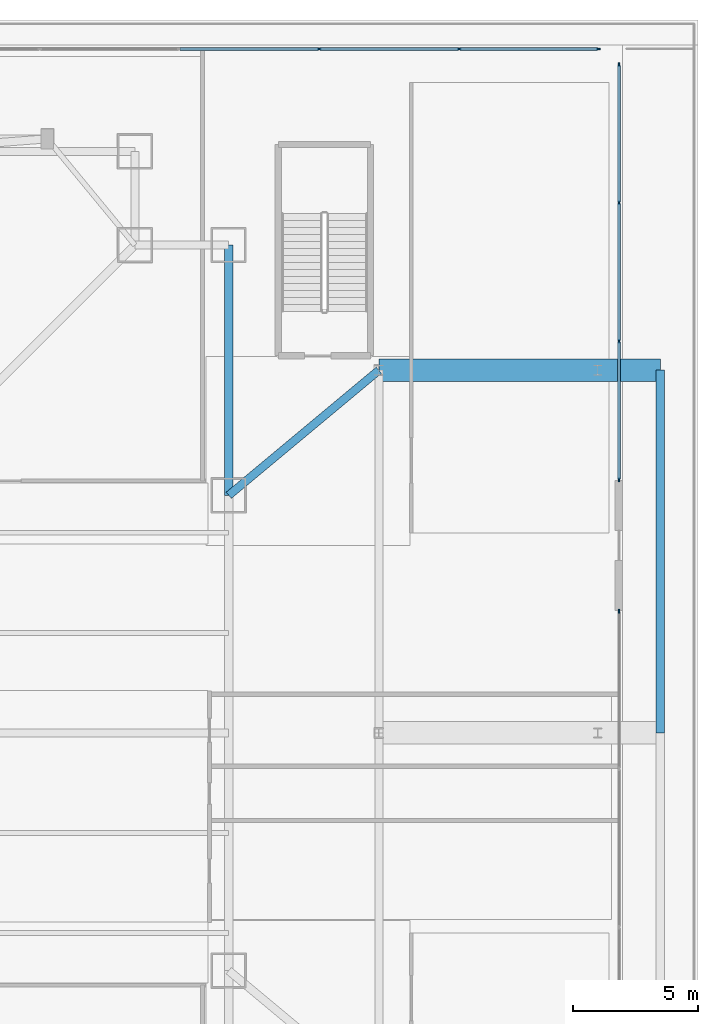
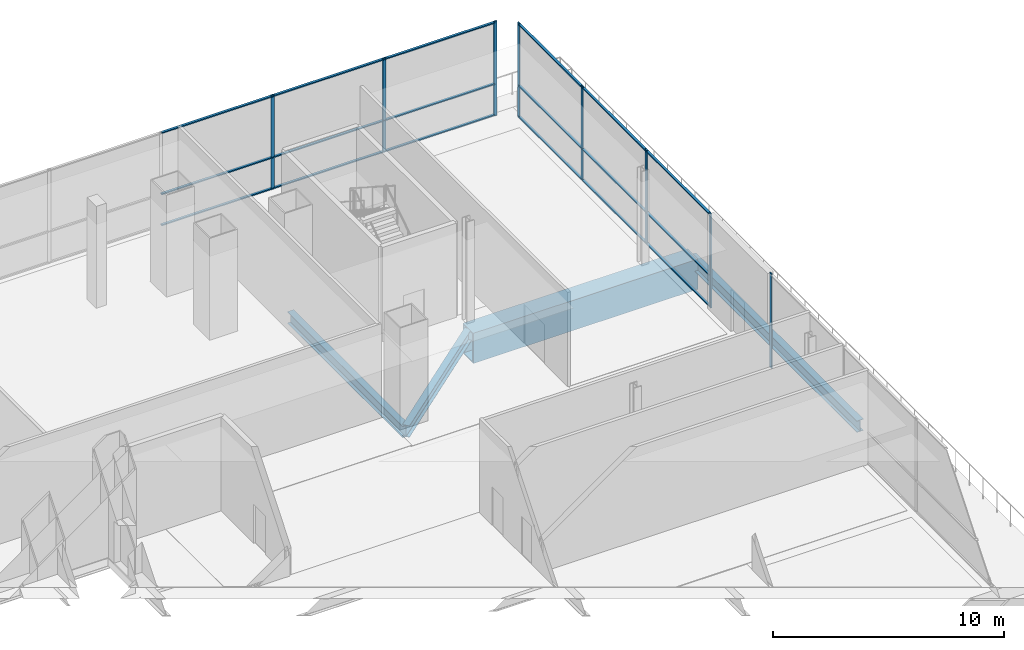
# One storey, part 18 of 36: 26 members, 4 beams, 3 elements without a shape of their own.
"""IFC4 building model written with IfcOpenShell, lengths in metres."""

import ifcopenshell
import ifcopenshell.guid

model = None  # the IFC model being written
_history = None  # IfcOwnerHistory: only IFC2X3 demands one
_inside = {}  # id of a spatial element -> (the spatial element, [elements in it])
_under = {}  # id of a project, library or spatial element -> (it, [spatial elements below it])
_declared = {}  # id of a project -> (the project, [libraries it declares])
_typed = {}  # id of a type object -> (the type object, [elements of that type])
_made_of = {}  # id of a material, layer set ... -> (it, [elements and type objects made of it])


def new_model(schema):
    """Start an empty IFC model of exactly this schema.

    Asked for "IFC4X3", IfcOpenShell would pick the latest addendum, in which some entities
    have other attributes; the version numbers below select the first issue.
    IFC2X3 requires an IfcOwnerHistory on every rooted entity: one is made here for all.
    """
    global model, _history
    if schema == "IFC4X3":
        model = ifcopenshell.file(schema_version=(4, 3, 0, 0))
    else:
        model = ifcopenshell.file(schema=schema)
    _inside.clear()
    _under.clear()
    _declared.clear()
    _typed.clear()
    _made_of.clear()
    _history = None
    if model.schema == "IFC2X3":
        org = make("IfcOrganization", Name="unknown")
        user = make(
            "IfcPersonAndOrganization",
            ThePerson=make("IfcPerson", FamilyName="unknown"),
            TheOrganization=org,
        )
        app = make(
            "IfcApplication",
            ApplicationDeveloper=org,
            Version="unknown",
            ApplicationFullName="unknown",
            ApplicationIdentifier="unknown",
        )
        _history = make(
            "IfcOwnerHistory",
            OwningUser=user,
            OwningApplication=app,
            ChangeAction="ADDED",
            CreationDate=0,
        )
    return model


def make(cls, **values):
    """One entity of the class cls with the attributes given. An attribute that is None is left unset."""
    return model.create_entity(
        cls, **{name: value for name, value in values.items() if value is not None}
    )


def rooted(cls, **values):
    """An entity with a GlobalId (a new one), such as an element, a storey or a relation."""
    return make(cls, GlobalId=ifcopenshell.guid.new(), OwnerHistory=_history, **values)


def si_unit(unit_type, name, prefix=None):
    """IfcSIUnit, for example si_unit("LENGTHUNIT", "METRE", prefix="MILLI")."""
    return make("IfcSIUnit", UnitType=unit_type, Prefix=prefix, Name=name)


def assignment(units):
    """IfcUnitAssignment: the units of a project."""
    return None if units is None else make("IfcUnitAssignment", Units=units)


def point(xyz):
    """IfcCartesianPoint."""
    return None if xyz is None else make("IfcCartesianPoint", Coordinates=xyz)


def direction(xyz):
    """IfcDirection."""
    return None if xyz is None else make("IfcDirection", DirectionRatios=xyz)


def frame(location, z_axis=None, x_axis=None):
    """IfcAxis2Placement3D, a coordinate frame: its origin and axes. An axis left out is left unset."""
    return make(
        "IfcAxis2Placement3D",
        Location=point(location),
        Axis=direction(z_axis),
        RefDirection=direction(x_axis),
    )


def frame_2d(location, x_axis=None):
    """IfcAxis2Placement2D, a coordinate frame in the plane: its origin and x axis."""
    return make(
        "IfcAxis2Placement2D", Location=point(location), RefDirection=direction(x_axis)
    )


def origin():
    """The frame at (0, 0, 0) with its axes left unset."""
    return frame((0.0, 0.0, 0.0))


def origin_2d():
    """The frame at (0, 0) in the plane with its x axis left unset."""
    return frame_2d((0.0, 0.0))


def place(relative_to, where):
    """IfcLocalPlacement: puts the frame where relative to a parent placement (None: the world)."""
    return make(
        "IfcLocalPlacement", PlacementRelTo=relative_to, RelativePlacement=where
    )


def context(
    kind, dimensions, precision=None, world=None, true_north=None, identifier=None
):
    """IfcGeometricRepresentationContext, for example the 3D "Model" context."""
    return make(
        "IfcGeometricRepresentationContext",
        ContextIdentifier=identifier,
        ContextType=kind,
        CoordinateSpaceDimension=dimensions,
        Precision=precision,
        WorldCoordinateSystem=world,
        TrueNorth=true_north,
    )


def subcontext(parent, identifier, kind, view, scale=None):
    """IfcGeometricRepresentationSubContext, for example "Body" below "Model"."""
    return make(
        "IfcGeometricRepresentationSubContext",
        ContextIdentifier=identifier,
        ContextType=kind,
        ParentContext=parent,
        TargetScale=scale,
        TargetView=view,
    )


def project(units=None, contexts=None):
    """IfcProject with its units and contexts."""
    return rooted(
        "IfcProject",
        Name="project",
        RepresentationContexts=contexts,
        UnitsInContext=assignment(units),
    )


def spatial(cls, under=None, at=None, **own):
    """A site, building, storey or space (cls), placed at a placement, below another one or the project."""
    s = rooted(cls, ObjectPlacement=at, **own)
    if under is not None:
        _under.setdefault(under.id(), (under, []))[1].append(s)
    return s


def profile(cls, at=None, kind="AREA", **sizes):
    """A parametric profile (cls). Its sizes go by their IFC names, for example OverallWidth=200.0."""
    return make(cls, ProfileType=kind, Position=at, **sizes)


def rectangle(**sizes):
    """IfcRectangleProfileDef."""
    return profile("IfcRectangleProfileDef", **sizes)


def hollow_rectangle(**sizes):
    """IfcRectangleHollowProfileDef."""
    return profile("IfcRectangleHollowProfileDef", **sizes)


def i_section(**sizes):
    """IfcIShapeProfileDef."""
    return profile("IfcIShapeProfileDef", **sizes)


def extrude(swept, where, along, depth):
    """IfcExtrudedAreaSolid: the profile swept, set in the frame where, extruded along a direction by depth."""
    return make(
        "IfcExtrudedAreaSolid",
        SweptArea=swept,
        Position=where,
        ExtrudedDirection=direction(along),
        Depth=depth,
    )


def shape(context_of_items, identifier, shape_type, items):
    """IfcShapeRepresentation: the items that make up one representation, for example the "Body"."""
    return make(
        "IfcShapeRepresentation",
        ContextOfItems=context_of_items,
        RepresentationIdentifier=identifier,
        RepresentationType=shape_type,
        Items=items,
    )


def material(Name=None, Category=None):
    """IfcMaterial."""
    return make("IfcMaterial", Name=Name, Category=Category)


def layer(
    of_material, thickness, ventilated=None, Name=None, Category=None, Priority=None
):
    """IfcMaterialLayer: one layer of a wall or slab, of a material (None: an air gap)."""
    return make(
        "IfcMaterialLayer",
        Material=of_material,
        LayerThickness=thickness,
        IsVentilated=ventilated,
        Name=Name,
        Category=Category,
        Priority=Priority,
    )


def layer_set(layers, Name=None):
    """IfcMaterialLayerSet."""
    return make("IfcMaterialLayerSet", MaterialLayers=layers, LayerSetName=Name)


def material_profile(
    of_material, cross_section, Name=None, Category=None, Priority=None
):
    """IfcMaterialProfile: a cross section and its material."""
    return make(
        "IfcMaterialProfile",
        Name=Name,
        Material=of_material,
        Profile=cross_section,
        Priority=Priority,
        Category=Category,
    )


def profile_set(profiles, Name=None, composite=None):
    """IfcMaterialProfileSet."""
    return make(
        "IfcMaterialProfileSet",
        Name=Name,
        MaterialProfiles=profiles,
        CompositeProfile=composite,
    )


def made_of(thing, what):
    """Note that an element or type object is made of a material, layer set ...; save() writes the relation."""
    if what is not None:
        _made_of.setdefault(what.id(), (what, []))[1].append(thing)
    return thing


def type_object(cls, material=None, **own):
    """A type object (cls), such as IfcWallType, which elements share."""
    return made_of(rooted(cls, **own), material)


def element(
    cls,
    number,
    at=None,
    inside=None,
    cuts=None,
    type_object=None,
    material=None,
    context=None,
    identifier="Body",
    shape_type=None,
    held_by="IfcProductDefinitionShape",
    body=None,
    shapes=None,
    **own,
):
    """One element of the class cls, such as IfcWall. Its Tag is "e" and its number.

    at: its placement. inside: the storey or other place that contains it. cuts: it is an
    opening in that element (IfcRelVoidsElement). A single representation is given by context,
    identifier, shape_type and body (its items); several are given by shapes. held_by: the class
    of the entity that holds the representations. save() writes the other relations.
    """
    e = rooted(cls, Tag="e%d" % number, ObjectPlacement=at, **own)
    if body is not None:
        shapes = [shape(context, identifier, shape_type, body)]
    if shapes is not None:
        e.Representation = make(held_by, Representations=shapes)
    if inside is not None:
        _inside.setdefault(inside.id(), (inside, []))[1].append(e)
    if cuts is not None:
        rooted(
            "IfcRelVoidsElement", RelatingBuildingElement=cuts, RelatedOpeningElement=e
        )
    if type_object is not None:
        _typed.setdefault(type_object.id(), (type_object, []))[1].append(e)
    return made_of(e, material)


def aggregate(whole, parts):
    """IfcRelAggregates: a whole, such as a stair, and the parts it consists of."""
    return rooted("IfcRelAggregates", RelatingObject=whole, RelatedObjects=parts)


def save(model, path):
    """Write the relations noted so far, then the file.

    IfcRelAggregates (storeys below a building ...), IfcRelContainedInSpatialStructure (elements
    in a storey), IfcRelDefinesByType, IfcRelAssociatesMaterial and IfcRelDeclares: one each for
    every whole, place, type object, material and project.
    """
    for whole, parts in _under.values():
        aggregate(whole, parts)
    for where, things in _inside.values():
        rooted(
            "IfcRelContainedInSpatialStructure",
            RelatedElements=things,
            RelatingStructure=where,
        )
    for kind, things in _typed.values():
        rooted("IfcRelDefinesByType", RelatedObjects=things, RelatingType=kind)
    for what, things in _made_of.values():
        rooted("IfcRelAssociatesMaterial", RelatedObjects=things, RelatingMaterial=what)
    for by, libraries in _declared.values():
        rooted("IfcRelDeclares", RelatingContext=by, RelatedDefinitions=libraries)
    model.write(path)


model = new_model("IFC4")

# Units and contexts
model_context = context("Model", 3, precision=1e-05, world=origin(), true_north=direction((0.0, 1.0)))
body_context = subcontext(model_context, "Body", "Model", "MODEL_VIEW")
ifc_project = project(units=[si_unit("LENGTHUNIT", "METRE"), si_unit("AREAUNIT", "SQUARE_METRE"), si_unit("VOLUMEUNIT", "CUBIC_METRE"), si_unit("PLANEANGLEUNIT", "RADIAN"), si_unit("MASSUNIT", "GRAM", prefix="KILO")], contexts=[model_context])

# Site, building, storey
site_placement = place(None, origin())
site = spatial("IfcSite", under=ifc_project, at=site_placement, CompositionType="ELEMENT")
building_placement = place(site_placement, origin())
building = spatial("IfcBuilding", under=site, at=building_placement, Name="Trevonay Congress Spire", CompositionType="ELEMENT")
storey_placement = place(building_placement, frame((0.0, 0.0, 5.39990234375)))
storey = spatial("IfcBuildingStorey", under=building, at=storey_placement, Name="L01", CompositionType="ELEMENT", Elevation=5.39990234375)

# Beams
ifc_material_1 = material(Name="Steel ASTM A572 Grade 50", Category="steel")
ifc_material_profile_1 = material_profile(ifc_material_1, i_section(OverallWidth=0.324951171875, OverallDepth=0.615966796875, WebThickness=0.013916015625, FlangeThickness=0.021484375, FilletRadius=0.01806640625, at=origin_2d()), Name="W610x174")
ifc_profile_set_1 = profile_set([ifc_material_profile_1], Name="Steel ASTM A572 Grade 50")
beam_type_1 = type_object("IfcBeamType", Name="BM-GIRD-W610X174", PredefinedType="BEAM", material=ifc_profile_set_1)
beam_1_placement = place(storey_placement, frame((23.25, 9.5, -0.7080078125), z_axis=(0.0, 1.0, 0.0), x_axis=(-1.0, 0.0, 0.0)))
element("IfcBeam", 1, at=beam_1_placement, inside=storey, type_object=beam_type_1, Name="L01 structural beam BM-L01-ME3", PredefinedType="BEAM", context=body_context, shape_type="SweptSolid", body=[
    extrude(i_section(OverallWidth=0.324951171875, OverallDepth=0.615966796875, WebThickness=0.013916015625, FlangeThickness=0.021484375, FilletRadius=0.01806640625, at=origin_2d()), origin(), (0.0, 0.0, 1.0), 10.0),
])
beam_2_placement = place(storey_placement, frame((23.25, 9.5, -0.7080078125), z_axis=(0.768221279597, 0.640184399664, 0.0), x_axis=(-0.640184399664, 0.768221279597, 0.0)))
element("IfcBeam", 2, at=beam_2_placement, inside=storey, type_object=beam_type_1, Name="L01 structural beam BM-L01-POD-ET2", PredefinedType="BEAM", context=body_context, shape_type="SweptSolid", body=[
    extrude(i_section(OverallWidth=0.324951171875, OverallDepth=0.615966796875, WebThickness=0.013916015625, FlangeThickness=0.021484375, FilletRadius=0.01806640625, at=origin_2d()), origin(), (0.0, 0.0, 1.0), 7.810302734375),
])
beam_3_placement = place(storey_placement, frame((40.5, 0.0, -0.7080078125), z_axis=(0.0, 1.0, 0.0), x_axis=(-1.0, 0.0, 0.0)))
element("IfcBeam", 3, at=beam_3_placement, inside=storey, type_object=beam_type_1, Name="L01 structural beam BM-L01-EXEL2", PredefinedType="BEAM", context=body_context, shape_type="SweptSolid", body=[
    extrude(i_section(OverallWidth=0.324951171875, OverallDepth=0.615966796875, WebThickness=0.013916015625, FlangeThickness=0.021484375, FilletRadius=0.01806640625, at=origin_2d()), origin(), (0.0, 0.0, 1.0), 14.5),
])
ifc_material_profile_2 = material_profile(ifc_material_1, hollow_rectangle(XDim=0.89990234375, YDim=1.60009765625, WallThickness=0.06005859375, at=origin_2d()), Name="BOX 1600x900x60")
ifc_profile_set_2 = profile_set([ifc_material_profile_2], Name="Steel ASTM A572 Grade 50")
beam_type_2 = type_object("IfcBeamType", Name="BM-XFER-BOX1600", PredefinedType="BEAM", material=ifc_profile_set_2)
beam_4_placement = place(storey_placement, frame((29.25, 14.5, -1.199951171875), z_axis=(1.0, 0.0, 0.0), x_axis=(0.0, 1.0, 0.0)))
element("IfcBeam", 4, at=beam_4_placement, inside=storey, type_object=beam_type_2, Name="L01 structural beam BM-L01-EXE-N", PredefinedType="BEAM", context=body_context, shape_type="SweptSolid", body=[
    extrude(hollow_rectangle(XDim=0.89990234375, YDim=1.60009765625, WallThickness=0.06005859375, at=origin_2d()), origin(), (0.0, 0.0, 1.0), 11.25),
])

# Curtain wall, member
ifc_material_2 = material(Name="Pale Anodised Aluminium EN AW-6063-T6", Category="aluminium")
ifc_layer = layer(ifc_material_2, 0.179931640625, Name="Pale Anodised Aluminium EN AW-6063-T6")
ifc_layer_set = layer_set([ifc_layer], Name="Pale Anodised Aluminium EN AW-6063-T6")
curtain_wall_type = type_object("IfcCurtainWallType", Name="CW-SYS01-PODIUM-PALE-METAL", PredefinedType="NOTDEFINED", material=ifc_layer_set)
curtain_wall_1_placement = place(storey_placement, origin())
curtain_wall_1 = element("IfcCurtainWall", 5, at=curtain_wall_1_placement, inside=storey, type_object=curtain_wall_type, Name="L01 E1 podium curtain wall", PredefinedType="NOTDEFINED")
ifc_material_profile_3 = material_profile(ifc_material_2, rectangle(XDim=0.06005859375, YDim=0.159912109375, at=origin_2d()), Name="CW-MULLION-160-ALUMINIUM")
ifc_profile_set_3 = profile_set([ifc_material_profile_3], Name="Pale Anodised Aluminium EN AW-6063-T6")
member_type_1 = type_object("IfcMemberType", Name="CW-MULLION-160-ALUMINIUM", PredefinedType="MULLION", material=ifc_profile_set_3)
member_1_placement = place(storey_placement, frame((38.85009765625, 4.8701171875, 0.0), z_axis=(0.0, 0.0, 1.0), x_axis=(-1.0, 0.0, 0.0)))
member_1 = element("IfcMember", 6, at=member_1_placement, type_object=member_type_1, Name="CW01 mullion 6", PredefinedType="MULLION", context=body_context, shape_type="SweptSolid", body=[
    extrude(rectangle(XDim=0.06005859375, YDim=0.159912109375, at=origin_2d()), origin(), (0.0, 0.0, 1.0), 5.0),
])
aggregate(curtain_wall_1, [member_1])

# Curtain wall, members
curtain_wall_2_placement = place(storey_placement, origin())
curtain_wall_2 = element("IfcCurtainWall", 7, at=curtain_wall_2_placement, inside=storey, type_object=curtain_wall_type, Name="L01 E2 podium curtain wall", PredefinedType="NOTDEFINED")
member_2_placement = place(storey_placement, frame((38.85009765625, 10.1298828125, 0.0), z_axis=(0.0, 0.0, 1.0), x_axis=(-1.0, 0.0, 0.0)))
member_2 = element("IfcMember", 8, at=member_2_placement, type_object=member_type_1, Name="CW01 mullion 1", PredefinedType="MULLION", context=body_context, shape_type="SweptSolid", body=[
    extrude(rectangle(XDim=0.06005859375, YDim=0.159912109375, at=origin_2d()), origin(), (0.0, 0.0, 1.0), 5.0),
])
member_3_placement = place(storey_placement, frame((38.85009765625, 15.64990234375, 0.0), z_axis=(0.0, 0.0, 1.0), x_axis=(-1.0, 0.0, 0.0)))
member_3 = element("IfcMember", 9, at=member_3_placement, type_object=member_type_1, Name="CW01 mullion 2", PredefinedType="MULLION", context=body_context, shape_type="SweptSolid", body=[
    extrude(rectangle(XDim=0.06005859375, YDim=0.159912109375, at=origin_2d()), origin(), (0.0, 0.0, 1.0), 5.0),
])
member_4_placement = place(storey_placement, frame((38.85009765625, 21.199951171875, 0.0), z_axis=(0.0, 0.0, 1.0), x_axis=(-1.0, 0.0, 0.0)))
member_4 = element("IfcMember", 10, at=member_4_placement, type_object=member_type_1, Name="CW01 mullion 3", PredefinedType="MULLION", context=body_context, shape_type="SweptSolid", body=[
    extrude(rectangle(XDim=0.06005859375, YDim=0.159912109375, at=origin_2d()), origin(), (0.0, 0.0, 1.0), 5.0),
])
member_5_placement = place(storey_placement, frame((38.85009765625, 26.719970703125, 0.0), z_axis=(0.0, 0.0, 1.0), x_axis=(-1.0, 0.0, 0.0)))
member_5 = element("IfcMember", 11, at=member_5_placement, type_object=member_type_1, Name="CW01 mullion 4", PredefinedType="MULLION", context=body_context, shape_type="SweptSolid", body=[
    extrude(rectangle(XDim=0.06005859375, YDim=0.159912109375, at=origin_2d()), origin(), (0.0, 0.0, 1.0), 5.0),
])

curtain_wall_3_placement = place(storey_placement, origin())
curtain_wall_3 = element("IfcCurtainWall", 12, at=curtain_wall_3_placement, inside=storey, type_object=curtain_wall_type, Name="L01 N2 podium curtain wall", PredefinedType="NOTDEFINED")
member_6_placement = place(storey_placement, frame((26.8701171875, 27.35009765625, 0.0), z_axis=(0.0, 0.0, 1.0), x_axis=(0.0, 1.0, 0.0)))
member_6 = element("IfcMember", 13, at=member_6_placement, type_object=member_type_1, Name="CW01 mullion 4", PredefinedType="MULLION", context=body_context, shape_type="SweptSolid", body=[
    extrude(rectangle(XDim=0.06005859375, YDim=0.159912109375, at=origin_2d()), origin(), (0.0, 0.0, 1.0), 5.0),
])
member_7_placement = place(storey_placement, frame((32.4599609375, 27.35009765625, 0.0), z_axis=(0.0, 0.0, 1.0), x_axis=(0.0, 1.0, 0.0)))
member_7 = element("IfcMember", 14, at=member_7_placement, type_object=member_type_1, Name="CW01 mullion 5", PredefinedType="MULLION", context=body_context, shape_type="SweptSolid", body=[
    extrude(rectangle(XDim=0.06005859375, YDim=0.159912109375, at=origin_2d()), origin(), (0.0, 0.0, 1.0), 5.0),
])
member_8_placement = place(storey_placement, frame((38.02001953125, 27.35009765625, 0.0), z_axis=(0.0, 0.0, 1.0), x_axis=(0.0, 1.0, 0.0)))
member_8 = element("IfcMember", 15, at=member_8_placement, type_object=member_type_1, Name="CW01 mullion 6", PredefinedType="MULLION", context=body_context, shape_type="SweptSolid", body=[
    extrude(rectangle(XDim=0.06005859375, YDim=0.159912109375, at=origin_2d()), origin(), (0.0, 0.0, 1.0), 5.0),
])

# Member
ifc_material_profile_4 = material_profile(ifc_material_2, rectangle(XDim=0.1201171875, YDim=0.06005859375, at=origin_2d()), Name="CW-TRANSOM-120-ALUMINIUM")
ifc_profile_set_4 = profile_set([ifc_material_profile_4], Name="Pale Anodised Aluminium EN AW-6063-T6")
member_type_2 = type_object("IfcMemberType", Name="CW-TRANSOM-120-ALUMINIUM", PredefinedType="USERDEFINED", material=ifc_profile_set_4)
member_9_placement = place(storey_placement, frame((38.85009765625, 10.159912109375, 0.06005859375), z_axis=(0.0, 1.0, 0.0), x_axis=(-1.0, 0.0, 0.0)))
member_9 = element("IfcMember", 16, at=member_9_placement, type_object=member_type_2, Name="CW01 transom 1.1", ObjectType="TRANSOM", PredefinedType="USERDEFINED", context=body_context, shape_type="SweptSolid", body=[
    extrude(rectangle(XDim=0.1201171875, YDim=0.06005859375, at=origin_2d()), origin(), (0.0, 0.0, 1.0), 5.460205078125),
])

member_10_placement = place(storey_placement, frame((38.85009765625, 10.159912109375, 1.7001953125), z_axis=(0.0, 1.0, 0.0), x_axis=(-1.0, 0.0, 0.0)))
member_10 = element("IfcMember", 17, at=member_10_placement, type_object=member_type_2, Name="CW01 transom 1.2", ObjectType="TRANSOM", PredefinedType="USERDEFINED", context=body_context, shape_type="SweptSolid", body=[
    extrude(rectangle(XDim=0.1201171875, YDim=0.06005859375, at=origin_2d()), origin(), (0.0, 0.0, 1.0), 5.460205078125),
])

member_11_placement = place(storey_placement, frame((38.85009765625, 10.159912109375, 4.940185546875), z_axis=(0.0, 1.0, 0.0), x_axis=(-1.0, 0.0, 0.0)))
member_11 = element("IfcMember", 18, at=member_11_placement, type_object=member_type_2, Name="CW01 transom 1.3", ObjectType="TRANSOM", PredefinedType="USERDEFINED", context=body_context, shape_type="SweptSolid", body=[
    extrude(rectangle(XDim=0.1201171875, YDim=0.06005859375, at=origin_2d()), origin(), (0.0, 0.0, 1.0), 5.460205078125),
])

member_12_placement = place(storey_placement, frame((38.85009765625, 15.679931640625, 0.06005859375), z_axis=(0.0, 1.0, 0.0), x_axis=(-1.0, 0.0, 0.0)))
member_12 = element("IfcMember", 19, at=member_12_placement, type_object=member_type_2, Name="CW01 transom 2.1", ObjectType="TRANSOM", PredefinedType="USERDEFINED", context=body_context, shape_type="SweptSolid", body=[
    extrude(rectangle(XDim=0.1201171875, YDim=0.06005859375, at=origin_2d()), origin(), (0.0, 0.0, 1.0), 5.489990234375),
])

member_13_placement = place(storey_placement, frame((38.85009765625, 15.679931640625, 1.7001953125), z_axis=(0.0, 1.0, 0.0), x_axis=(-1.0, 0.0, 0.0)))
member_13 = element("IfcMember", 20, at=member_13_placement, type_object=member_type_2, Name="CW01 transom 2.2", ObjectType="TRANSOM", PredefinedType="USERDEFINED", context=body_context, shape_type="SweptSolid", body=[
    extrude(rectangle(XDim=0.1201171875, YDim=0.06005859375, at=origin_2d()), origin(), (0.0, 0.0, 1.0), 5.489990234375),
])

member_14_placement = place(storey_placement, frame((38.85009765625, 15.679931640625, 4.940185546875), z_axis=(0.0, 1.0, 0.0), x_axis=(-1.0, 0.0, 0.0)))
member_14 = element("IfcMember", 21, at=member_14_placement, type_object=member_type_2, Name="CW01 transom 2.3", ObjectType="TRANSOM", PredefinedType="USERDEFINED", context=body_context, shape_type="SweptSolid", body=[
    extrude(rectangle(XDim=0.1201171875, YDim=0.06005859375, at=origin_2d()), origin(), (0.0, 0.0, 1.0), 5.489990234375),
])

member_15_placement = place(storey_placement, frame((38.85009765625, 21.22998046875, 0.06005859375), z_axis=(0.0, 1.0, 0.0), x_axis=(-1.0, 0.0, 0.0)))
member_15 = element("IfcMember", 22, at=member_15_placement, type_object=member_type_2, Name="CW01 transom 3.1", ObjectType="TRANSOM", PredefinedType="USERDEFINED", context=body_context, shape_type="SweptSolid", body=[
    extrude(rectangle(XDim=0.1201171875, YDim=0.06005859375, at=origin_2d()), origin(), (0.0, 0.0, 1.0), 5.4599609375),
])

member_16_placement = place(storey_placement, frame((38.85009765625, 21.22998046875, 1.7001953125), z_axis=(0.0, 1.0, 0.0), x_axis=(-1.0, 0.0, 0.0)))
member_16 = element("IfcMember", 23, at=member_16_placement, type_object=member_type_2, Name="CW01 transom 3.2", ObjectType="TRANSOM", PredefinedType="USERDEFINED", context=body_context, shape_type="SweptSolid", body=[
    extrude(rectangle(XDim=0.1201171875, YDim=0.06005859375, at=origin_2d()), origin(), (0.0, 0.0, 1.0), 5.4599609375),
])

member_17_placement = place(storey_placement, frame((38.85009765625, 21.22998046875, 4.940185546875), z_axis=(0.0, 1.0, 0.0), x_axis=(-1.0, 0.0, 0.0)))
member_17 = element("IfcMember", 24, at=member_17_placement, type_object=member_type_2, Name="CW01 transom 3.3", ObjectType="TRANSOM", PredefinedType="USERDEFINED", context=body_context, shape_type="SweptSolid", body=[
    extrude(rectangle(XDim=0.1201171875, YDim=0.06005859375, at=origin_2d()), origin(), (0.0, 0.0, 1.0), 5.4599609375),
])

aggregate(curtain_wall_2, [member_2, member_3, member_4, member_5, member_9, member_10, member_11, member_12, member_13, member_14, member_15, member_16, member_17])

member_18_placement = place(storey_placement, frame((21.31005859375, 27.35009765625, 0.06005859375), z_axis=(1.0, 0.0, 0.0), x_axis=(0.0, 1.0, 0.0)))
member_18 = element("IfcMember", 25, at=member_18_placement, type_object=member_type_2, Name="CW01 transom 3.1", ObjectType="TRANSOM", PredefinedType="USERDEFINED", context=body_context, shape_type="SweptSolid", body=[
    extrude(rectangle(XDim=0.1201171875, YDim=0.06005859375, at=origin_2d()), origin(), (0.0, 0.0, 1.0), 5.530029296875),
])

member_19_placement = place(storey_placement, frame((21.31005859375, 27.35009765625, 1.7001953125), z_axis=(1.0, 0.0, 0.0), x_axis=(0.0, 1.0, 0.0)))
member_19 = element("IfcMember", 26, at=member_19_placement, type_object=member_type_2, Name="CW01 transom 3.2", ObjectType="TRANSOM", PredefinedType="USERDEFINED", context=body_context, shape_type="SweptSolid", body=[
    extrude(rectangle(XDim=0.1201171875, YDim=0.06005859375, at=origin_2d()), origin(), (0.0, 0.0, 1.0), 5.530029296875),
])

member_20_placement = place(storey_placement, frame((21.31005859375, 27.35009765625, 4.940185546875), z_axis=(1.0, 0.0, 0.0), x_axis=(0.0, 1.0, 0.0)))
member_20 = element("IfcMember", 27, at=member_20_placement, type_object=member_type_2, Name="CW01 transom 3.3", ObjectType="TRANSOM", PredefinedType="USERDEFINED", context=body_context, shape_type="SweptSolid", body=[
    extrude(rectangle(XDim=0.1201171875, YDim=0.06005859375, at=origin_2d()), origin(), (0.0, 0.0, 1.0), 5.530029296875),
])

member_21_placement = place(storey_placement, frame((26.89990234375, 27.35009765625, 0.06005859375), z_axis=(1.0, 0.0, 0.0), x_axis=(0.0, 1.0, 0.0)))
member_21 = element("IfcMember", 28, at=member_21_placement, type_object=member_type_2, Name="CW01 transom 4.1", ObjectType="TRANSOM", PredefinedType="USERDEFINED", context=body_context, shape_type="SweptSolid", body=[
    extrude(rectangle(XDim=0.1201171875, YDim=0.06005859375, at=origin_2d()), origin(), (0.0, 0.0, 1.0), 5.530029296875),
])

member_22_placement = place(storey_placement, frame((26.89990234375, 27.35009765625, 1.7001953125), z_axis=(1.0, 0.0, 0.0), x_axis=(0.0, 1.0, 0.0)))
member_22 = element("IfcMember", 29, at=member_22_placement, type_object=member_type_2, Name="CW01 transom 4.2", ObjectType="TRANSOM", PredefinedType="USERDEFINED", context=body_context, shape_type="SweptSolid", body=[
    extrude(rectangle(XDim=0.1201171875, YDim=0.06005859375, at=origin_2d()), origin(), (0.0, 0.0, 1.0), 5.530029296875),
])

member_23_placement = place(storey_placement, frame((26.89990234375, 27.35009765625, 4.940185546875), z_axis=(1.0, 0.0, 0.0), x_axis=(0.0, 1.0, 0.0)))
member_23 = element("IfcMember", 30, at=member_23_placement, type_object=member_type_2, Name="CW01 transom 4.3", ObjectType="TRANSOM", PredefinedType="USERDEFINED", context=body_context, shape_type="SweptSolid", body=[
    extrude(rectangle(XDim=0.1201171875, YDim=0.06005859375, at=origin_2d()), origin(), (0.0, 0.0, 1.0), 5.530029296875),
])

member_24_placement = place(storey_placement, frame((32.489990234375, 27.35009765625, 0.06005859375), z_axis=(1.0, 0.0, 0.0), x_axis=(0.0, 1.0, 0.0)))
member_24 = element("IfcMember", 31, at=member_24_placement, type_object=member_type_2, Name="CW01 transom 5.1", ObjectType="TRANSOM", PredefinedType="USERDEFINED", context=body_context, shape_type="SweptSolid", body=[
    extrude(rectangle(XDim=0.1201171875, YDim=0.06005859375, at=origin_2d()), origin(), (0.0, 0.0, 1.0), 5.5),
])

member_25_placement = place(storey_placement, frame((32.489990234375, 27.35009765625, 1.7001953125), z_axis=(1.0, 0.0, 0.0), x_axis=(0.0, 1.0, 0.0)))
member_25 = element("IfcMember", 32, at=member_25_placement, type_object=member_type_2, Name="CW01 transom 5.2", ObjectType="TRANSOM", PredefinedType="USERDEFINED", context=body_context, shape_type="SweptSolid", body=[
    extrude(rectangle(XDim=0.1201171875, YDim=0.06005859375, at=origin_2d()), origin(), (0.0, 0.0, 1.0), 5.5),
])

member_26_placement = place(storey_placement, frame((32.489990234375, 27.35009765625, 4.940185546875), z_axis=(1.0, 0.0, 0.0), x_axis=(0.0, 1.0, 0.0)))
member_26 = element("IfcMember", 33, at=member_26_placement, type_object=member_type_2, Name="CW01 transom 5.3", ObjectType="TRANSOM", PredefinedType="USERDEFINED", context=body_context, shape_type="SweptSolid", body=[
    extrude(rectangle(XDim=0.1201171875, YDim=0.06005859375, at=origin_2d()), origin(), (0.0, 0.0, 1.0), 5.5),
])

aggregate(curtain_wall_3, [member_6, member_7, member_8, member_18, member_19, member_20, member_21, member_22, member_23, member_24, member_25, member_26])

save(model, "model.ifc")
